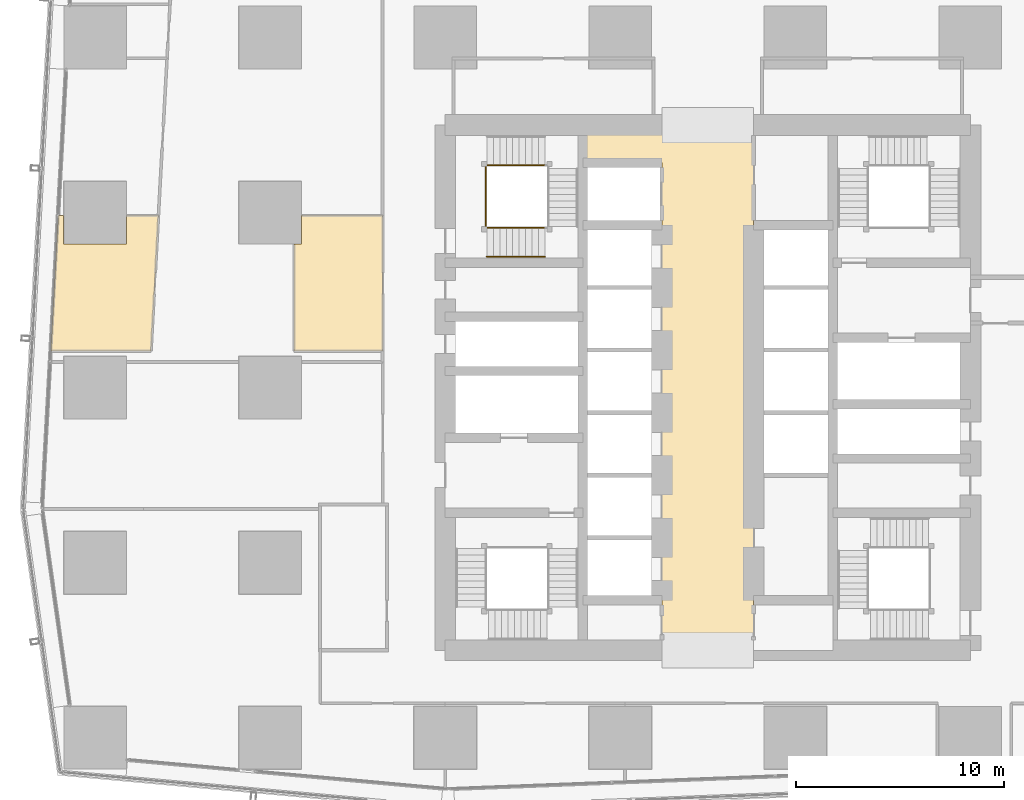
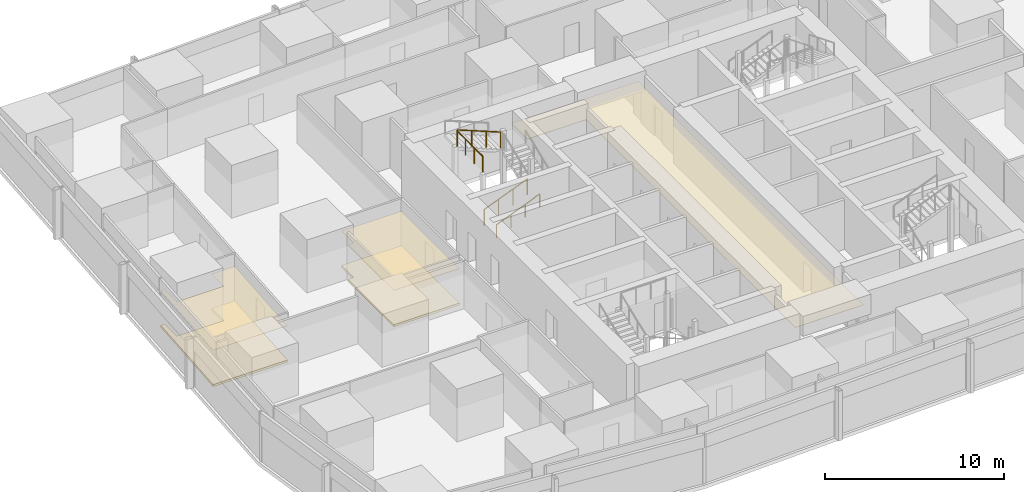
# One storey, part 33 of 38: 5 coverings, 4 railings.
"""IFC4 building model written with IfcOpenShell, lengths in metres."""

from ifc_helpers import new_model, si_unit, direction, frame, origin, origin_2d, place, context, subcontext, project, spatial, polyline, circle, outline, extrude, material, layer, layer_set, type_object, element, save


model = new_model("IFC4")

# Units and contexts
model_context = context("Model", 3, precision=1e-05, world=origin(), true_north=direction((0.0, 1.0)))
body_context = subcontext(model_context, "Body", "Model", "MODEL_VIEW")
ifc_project = project(units=[si_unit("LENGTHUNIT", "METRE"), si_unit("AREAUNIT", "SQUARE_METRE"), si_unit("VOLUMEUNIT", "CUBIC_METRE"), si_unit("PLANEANGLEUNIT", "RADIAN"), si_unit("MASSUNIT", "GRAM", prefix="KILO")], contexts=[model_context])

# Site, building, storey
site_placement = place(None, origin())
site = spatial("IfcSite", under=ifc_project, at=site_placement, CompositionType="ELEMENT")
building_placement = place(site_placement, origin())
building = spatial("IfcBuilding", under=site, at=building_placement, Name="Rekha Terrace Tower", CompositionType="ELEMENT")
storey_placement = place(building_placement, frame((0.0, 0.0, 159.050048828125)))
storey = spatial("IfcBuildingStorey", under=building, at=storey_placement, Name="L40", CompositionType="ELEMENT", Elevation=159.050048828125)

# Coverings
ifc_material_1 = material(Name="Mineral fibre tile in exposed grid", Category="finish")
ifc_layer_1 = layer(ifc_material_1, 0.02001953125)
ifc_layer_set_1 = layer_set([ifc_layer_1], Name="Mineral fibre tile in exposed grid")
covering_type_1 = type_object("IfcCoveringType", Name="CL1 600x1200 office grid ceiling", PredefinedType="CEILING", material=ifc_layer_set_1)
covering_1_placement = place(storey_placement, frame((0.0, 0.0, 2.47998046875)))
element("IfcCovering", 1, at=covering_1_placement, inside=storey, type_object=covering_type_1, Name="Ceiling L40-07", PredefinedType="CEILING", context=body_context, shape_type="SweptSolid", body=[
    extrude(outline(polyline([(6.278076171875, 35.360107421875), (11.0849609375, 35.360107421875), (11.44091796875, 41.85400390625), (9.9150390625, 41.85400390625), (9.9150390625, 40.485107421875), (6.885009765625, 40.485107421875), (6.885009765625, 41.85400390625), (6.634033203125, 41.85400390625), (6.278076171875, 35.360107421875)])), origin(), (0.0, 0.0, 1.0), 0.02001953125),
])
covering_2_placement = place(storey_placement, frame((0.0, 0.0, 2.47998046875)))
element("IfcCovering", 2, at=covering_2_placement, inside=storey, type_object=covering_type_1, Name="Ceiling L40-08", PredefinedType="CEILING", context=body_context, shape_type="SweptSolid", body=[
    extrude(outline(polyline([(18.31494140625, 40.485107421875), (17.949951171875, 40.485107421875), (17.949951171875, 35.360107421875), (22.199951171875, 35.360107421875), (22.199951171875, 41.85498046875), (18.31494140625, 41.85498046875), (18.31494140625, 40.485107421875)])), origin(), (0.0, 0.0, 1.0), 0.02001953125),
])
ifc_material_2 = material(Name="Powder-coated aluminium pan", Category="aluminium")
ifc_layer_2 = layer(ifc_material_2, 0.030029296875)
ifc_layer_set_2 = layer_set([ifc_layer_2], Name="Powder-coated aluminium pan")
covering_type_2 = type_object("IfcCoveringType", Name="CL3 300x1200 metal pan ceiling", PredefinedType="CEILING", material=ifc_layer_set_2)
covering_3_placement = place(storey_placement, frame((0.0, 0.0, 2.469970703125)))
element("IfcCovering", 3, at=covering_3_placement, inside=storey, type_object=covering_type_2, Name="Ceiling L40-LOBBY", PredefinedType="CEILING", context=body_context, shape_type="SweptSolid", body=[
    extrude(outline(polyline([(35.60009765625, 44.39990234375), (35.60009765625, 21.0), (40.0, 21.0), (40.0, 46.199951171875), (31.800048828125, 46.199951171875), (31.800048828125, 44.39990234375), (35.60009765625, 44.39990234375)])), origin(), (0.0, 0.0, 1.0), 0.030029296875),
])

# Railings
ifc_material_3 = material(Name="Stainless steel balustrade", Category="steel")
railing_type_1 = type_object("IfcRailingType", Name="GR1 1100 stair guard", PredefinedType="GUARDRAIL", material=ifc_material_3)
railing_1_placement = place(storey_placement, frame((27.199951171875, 41.264892578125, 0.125)))
element("IfcRailing", 4, at=railing_1_placement, inside=storey, type_object=railing_type_1, Name="Guard ST4 L40 flight 1", PredefinedType="GUARDRAIL", context=body_context, shape_type="SweptSolid", body=[
    extrude(circle(Radius=0.02392578125, at=origin_2d()), frame((0.0, 0.0, 1.076171875), z_axis=(0.927443287984, 0.0, 0.373963831907), x_axis=(0.0, 1.0, 0.0)), (0.0, 0.0, 1.0), 3.00830078125),
    extrude(circle(Radius=0.02099609375, at=origin_2d()), origin(), (0.0, 0.0, 1.0), 1.052001953125),
    extrude(circle(Radius=0.02099609375, at=origin_2d()), frame((0.929931640625, 0.0, 0.375)), (0.0, 0.0, 1.0), 1.052001953125),
    extrude(circle(Radius=0.02099609375, at=origin_2d()), frame((1.860107421875, 0.0, 0.75)), (0.0, 0.0, 1.0), 1.052001953125),
    extrude(circle(Radius=0.02099609375, at=origin_2d()), frame((2.7900390625, 0.0, 1.125)), (0.0, 0.0, 1.0), 1.052001953125),
])
railing_2_placement = place(storey_placement, frame((29.989990234375, 44.260009765625, 2.625)))
element("IfcRailing", 5, at=railing_2_placement, inside=storey, type_object=railing_type_1, Name="Guard ST4 L40 flight 3", PredefinedType="GUARDRAIL", context=body_context, shape_type="SweptSolid", body=[
    extrude(circle(Radius=0.02392578125, at=origin_2d()), frame((0.0, 0.0, 1.076171875), z_axis=(-0.927443287984, 0.0, 0.373963831907), x_axis=(0.0, -1.0, 0.0)), (0.0, 0.0, 1.0), 3.00830078125),
    extrude(circle(Radius=0.02099609375, at=origin_2d()), origin(), (0.0, 0.0, 1.0), 1.052001953125),
    extrude(circle(Radius=0.02099609375, at=origin_2d()), frame((-0.929931640625, 0.0, 0.375)), (0.0, 0.0, 1.0), 1.052001953125),
    extrude(circle(Radius=0.02099609375, at=origin_2d()), frame((-1.860107421875, 0.0, 0.75)), (0.0, 0.0, 1.0), 1.052001953125),
    extrude(circle(Radius=0.02099609375, at=origin_2d()), frame((-2.7900390625, 0.0, 1.125)), (0.0, 0.0, 1.0), 1.052001953125),
])
railing_3_placement = place(storey_placement, frame((27.139892578125, 41.324951171875, 3.75)))
element("IfcRailing", 6, at=railing_3_placement, inside=storey, type_object=railing_type_1, Name="Guard ST4 L40 landing 4", PredefinedType="GUARDRAIL", context=body_context, shape_type="SweptSolid", body=[
    extrude(circle(Radius=0.02392578125, at=origin_2d()), frame((0.0, 0.0, 1.076171875), z_axis=(0.0, 1.0, 0.0), x_axis=(-1.0, 0.0, 0.0)), (0.0, 0.0, 1.0), 2.875),
    extrude(circle(Radius=0.02099609375, at=origin_2d()), origin(), (0.0, 0.0, 1.0), 1.052001953125),
    extrude(circle(Radius=0.02099609375, at=origin_2d()), frame((0.0, 0.958251953125, 0.0)), (0.0, 0.0, 1.0), 1.052001953125),
    extrude(circle(Radius=0.02099609375, at=origin_2d()), frame((0.0, 1.916748046875, 0.0)), (0.0, 0.0, 1.0), 1.052001953125),
    extrude(circle(Radius=0.02099609375, at=origin_2d()), frame((0.0, 2.875, 0.0)), (0.0, 0.0, 1.0), 1.052001953125),
])
ifc_material_4 = material(Name="Stainless steel tube", Category="steel")
railing_type_2 = type_object("IfcRailingType", Name="HR1 900 stair handrail", PredefinedType="HANDRAIL", material=ifc_material_4)
railing_4_placement = place(storey_placement, frame((27.199951171875, 39.885009765625, 0.125)))
element("IfcRailing", 7, at=railing_4_placement, inside=storey, type_object=railing_type_2, Name="Handrail ST4 L40 flight 1", PredefinedType="HANDRAIL", context=body_context, shape_type="SweptSolid", body=[
    extrude(circle(Radius=0.02392578125, at=origin_2d()), frame((0.0, 0.0, 0.8759765625), z_axis=(0.927443287984, 0.0, 0.373963831907), x_axis=(0.0, 1.0, 0.0)), (0.0, 0.0, 1.0), 3.00830078125),
    extrude(circle(Radius=0.02099609375, at=origin_2d()), origin(), (0.0, 0.0, 1.0), 0.851806640625),
    extrude(circle(Radius=0.02099609375, at=origin_2d()), frame((0.929931640625, 0.0, 0.375)), (0.0, 0.0, 1.0), 0.851806640625),
    extrude(circle(Radius=0.02099609375, at=origin_2d()), frame((1.860107421875, 0.0, 0.75)), (0.0, 0.0, 1.0), 0.851806640625),
    extrude(circle(Radius=0.02099609375, at=origin_2d()), frame((2.7900390625, 0.0, 1.125)), (0.0, 0.0, 1.0), 0.851806640625),
])

# Coverings
ifc_material_5 = material(Name="Calcium sulphate panels on steel pedestals", Category="steel")
ifc_layer_3 = layer(ifc_material_5, 0.14990234375)
ifc_layer_set_3 = layer_set([ifc_layer_3], Name="Calcium sulphate panels on steel pedestals")
covering_type_3 = type_object("IfcCoveringType", Name="RF1 150 raised access floor", PredefinedType="FLOORING", material=ifc_layer_set_3)
covering_4_placement = place(storey_placement, origin())
element("IfcCovering", 8, at=covering_4_placement, inside=storey, type_object=covering_type_3, Name="Raised floor L40-07", PredefinedType="FLOORING", context=body_context, shape_type="SweptSolid", body=[
    extrude(outline(polyline([(6.278076171875, 35.360107421875), (11.0849609375, 35.360107421875), (11.44091796875, 41.85400390625), (9.9150390625, 41.85400390625), (9.9150390625, 40.485107421875), (6.885009765625, 40.485107421875), (6.885009765625, 41.85400390625), (6.634033203125, 41.85400390625), (6.278076171875, 35.360107421875)])), origin(), (0.0, 0.0, 1.0), 0.14990234375),
])
covering_5_placement = place(storey_placement, origin())
element("IfcCovering", 9, at=covering_5_placement, inside=storey, type_object=covering_type_3, Name="Raised floor L40-08", PredefinedType="FLOORING", context=body_context, shape_type="SweptSolid", body=[
    extrude(outline(polyline([(18.31494140625, 40.485107421875), (17.949951171875, 40.485107421875), (17.949951171875, 35.360107421875), (22.199951171875, 35.360107421875), (22.199951171875, 41.85498046875), (18.31494140625, 41.85498046875), (18.31494140625, 40.485107421875)])), origin(), (0.0, 0.0, 1.0), 0.14990234375),
])

save(model, "model.ifc")
